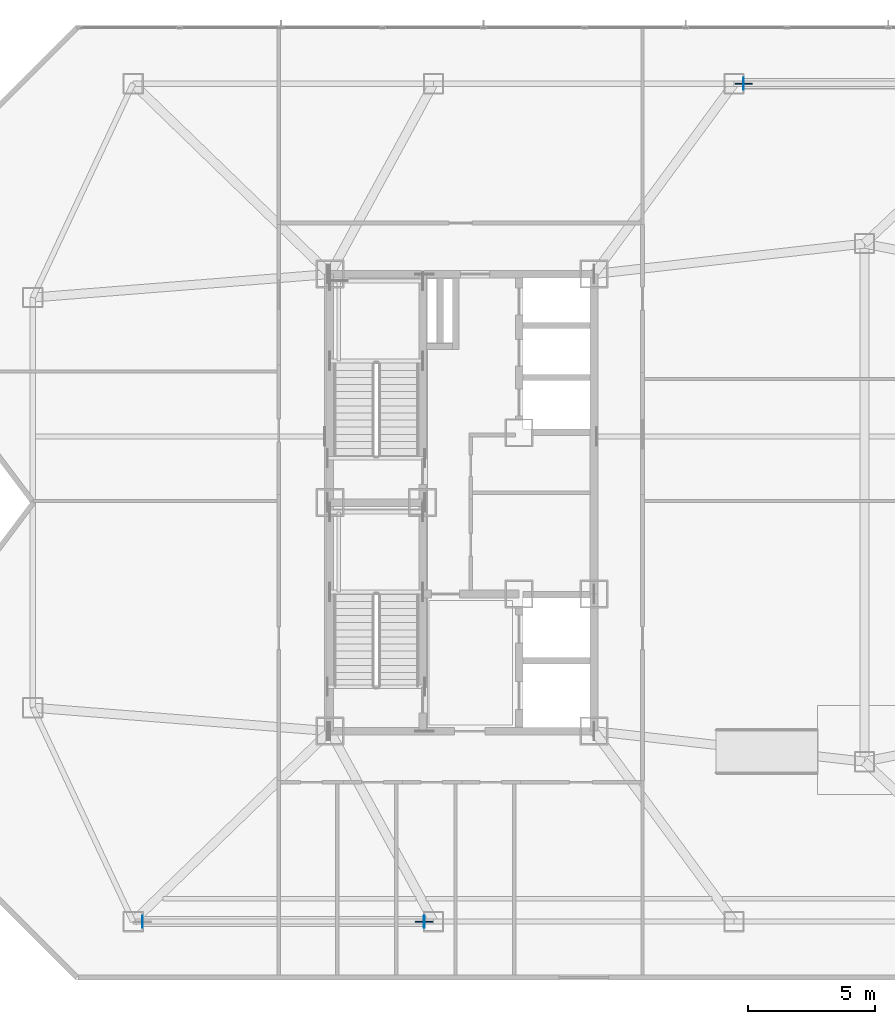
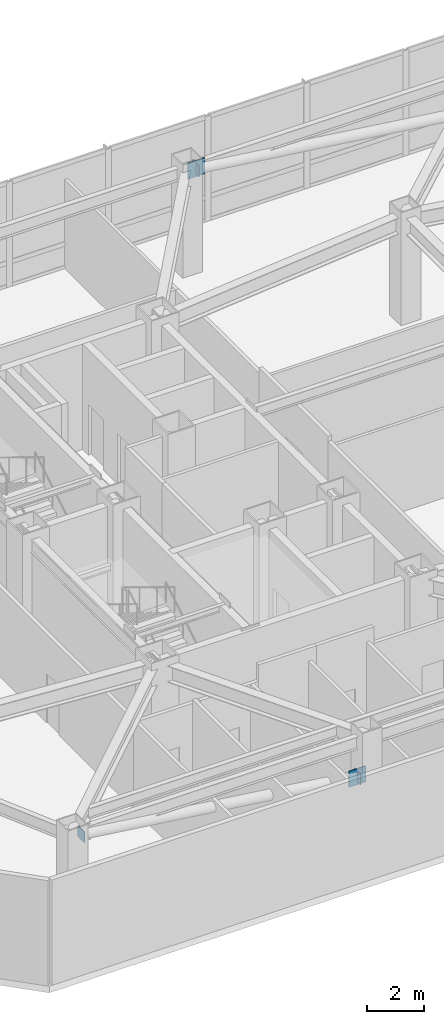
# One storey, part 8 of 16: 5 plates.
"""IFC4 building model written with IfcOpenShell, lengths in metres."""

from ifc_helpers import new_model, si_unit, direction, frame, origin, origin_2d, place, context, subcontext, project, spatial, rectangle, extrude, material, layer, layer_set, type_object, element, save


model = new_model("IFC4")

# Units and contexts
model_context = context("Model", 3, precision=1e-05, world=origin(), true_north=direction((0.0, 1.0)))
body_context = subcontext(model_context, "Body", "Model", "MODEL_VIEW")
ifc_project = project(units=[si_unit("LENGTHUNIT", "METRE"), si_unit("AREAUNIT", "SQUARE_METRE"), si_unit("VOLUMEUNIT", "CUBIC_METRE"), si_unit("PLANEANGLEUNIT", "RADIAN"), si_unit("MASSUNIT", "GRAM", prefix="KILO")], contexts=[model_context])

# Site, building, storey
site_placement = place(None, origin())
site = spatial("IfcSite", under=ifc_project, at=site_placement, CompositionType="ELEMENT")
building_placement = place(site_placement, origin())
building = spatial("IfcBuilding", under=site, at=building_placement, Name="Khamvora Tower", CompositionType="ELEMENT")
storey_placement = place(building_placement, frame((0.0, 0.0, 207.0)))
storey = spatial("IfcBuildingStorey", under=building, at=storey_placement, Name="L53", CompositionType="ELEMENT", Elevation=207.0)

# Plates
ifc_material_1 = material(Name="Steel S355", Category="steel")
ifc_layer_1 = layer(ifc_material_1, 0.02490234375)
ifc_layer_set_1 = layer_set([ifc_layer_1], Name="Steel S355")
plate_type_1 = type_object("IfcPlateType", Name="PL-CAP-25", PredefinedType="SHEET", material=ifc_layer_set_1)
for number, where, z_axis, x_axis, name in (
    (1, (32.718017578125, 11.5, 2.494140625), (0.0, 0.0, 1.0), (-1.0, 0.0, 0.0), "L53 hollow section steel end cap plate 0992"),
    (2, (21.614990234375, 11.5, 3.93310546875), (0.0, 0.0, 1.0), (-1.0, 0.0, 0.0), "L53 hollow section steel end cap plate 0993"),
    (3, (45.281982421875, 44.5, 3.93310546875), (0.0, 0.0, 1.0), (-1.0, 0.0, 0.0), "L53 hollow section steel end cap plate 0995"),
):
    element("IfcPlate", number, at=place(storey_placement, frame(where, z_axis=z_axis, x_axis=x_axis)), inside=storey, type_object=plate_type_1, Name=name, PredefinedType="SHEET", context=body_context, shape_type="SweptSolid", body=[
        extrude(rectangle(XDim=0.02490234375, YDim=0.466064453125, at=origin_2d()), origin(), (0.0, 0.0, 1.0), 0.466064453125),
    ])
ifc_material_2 = material(Name="Steel S460", Category="steel")
ifc_layer_2 = layer(ifc_material_2, 0.0400390625)
ifc_layer_set_2 = layer_set([ifc_layer_2], Name="Steel S460")
plate_type_2 = type_object("IfcPlateType", Name="PLT-GUS-40", PredefinedType="SHEET", material=ifc_layer_set_2)
for number, where, z_axis, x_axis, name in (
    (4, (32.7060546875, 11.5, 2.38916015625), (0.0, 0.0, 1.0), (1.0, 0.0, 0.0), "L53 brace connection node gusset plate 0329"),
    (5, (45.2939453125, 44.5, 3.82421875), (0.0, 0.0, 1.0), (1.0, 0.0, 0.0), "L53 brace connection node gusset plate 0332"),
):
    element("IfcPlate", number, at=place(storey_placement, frame(where, z_axis=z_axis, x_axis=x_axis)), inside=storey, type_object=plate_type_2, Name=name, PredefinedType="SHEET", context=body_context, shape_type="SweptSolid", body=[
        extrude(rectangle(XDim=0.679931640625, YDim=0.0400390625, at=origin_2d()), origin(), (0.0, 0.0, 1.0), 0.679931640625),
    ])

save(model, "model.ifc")
